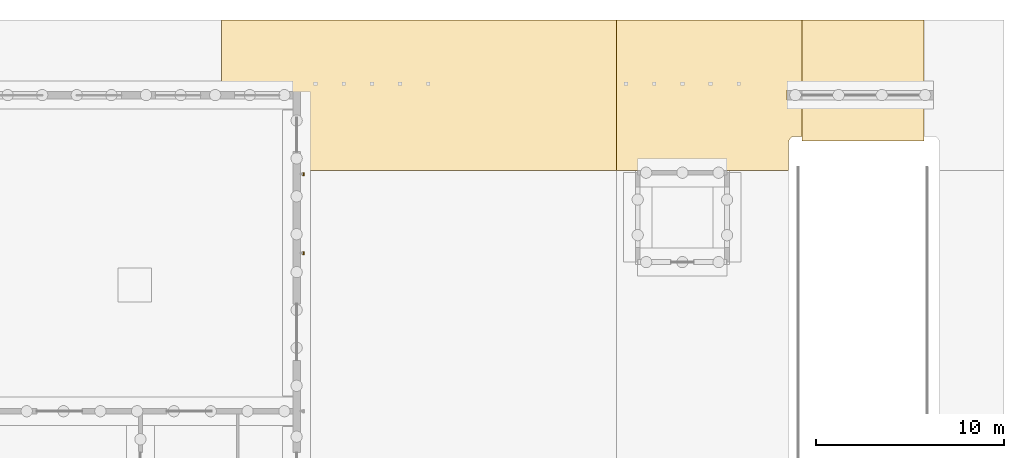
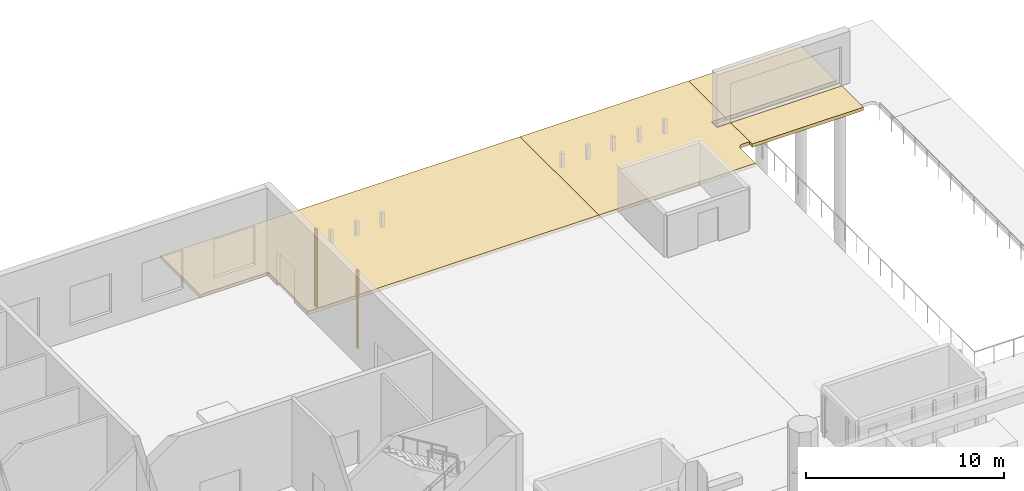
# One storey, part 125 of 127: 4 coverings, 2 shading devices.
"""IFC4 building model written with IfcOpenShell, lengths in metres."""

from ifc_helpers import new_model, si_unit, direction, frame, origin, origin_2d, place, context, subcontext, project, spatial, polyline, rectangle, outline, extrude, material, layer, layer_set, type_object, element, save


model = new_model("IFC4")

# Units and contexts
model_context = context("Model", 3, precision=1e-05, world=origin(), true_north=direction((0.0, 1.0)))
body_context = subcontext(model_context, "Body", "Model", "MODEL_VIEW")
ifc_project = project(units=[si_unit("LENGTHUNIT", "METRE"), si_unit("AREAUNIT", "SQUARE_METRE"), si_unit("VOLUMEUNIT", "CUBIC_METRE"), si_unit("PLANEANGLEUNIT", "RADIAN"), si_unit("MASSUNIT", "GRAM", prefix="KILO")], contexts=[model_context])

# Site, building, storey
site_placement = place(None, origin())
site = spatial("IfcSite", under=ifc_project, at=site_placement, CompositionType="ELEMENT")
building_placement = place(site_placement, origin())
building = spatial("IfcBuilding", under=site, at=building_placement, Name="Ljudholm Concert House", CompositionType="ELEMENT")
storey_placement = place(building_placement, origin())
storey = spatial("IfcBuildingStorey", under=building, at=storey_placement, Name="L00", CompositionType="ELEMENT", Elevation=0.0)

# Shading devices
ifc_material_1 = material(Name="Aluminium extrusion with timber-grain PVDF finish", Category="aluminium")
shading_device_type = type_object("IfcShadingDeviceType", Name="FACADE FIN 80x160", PredefinedType="SHUTTER", material=ifc_material_1)
for number, where, z_axis, x_axis, name in (
    (1, (88.360107421875, 163.60009765625, 0.2998046875), (0.0, 0.0, 1.0), (1.0, 0.0, 0.0), "Facade fin"),
    (2, (88.360107421875, 167.800048828125, 0.2998046875), (0.0, 0.0, 1.0), (1.0, 0.0, 0.0), "Facade fin"),
):
    element("IfcShadingDevice", number, at=place(storey_placement, frame(where, z_axis=z_axis, x_axis=x_axis)), inside=storey, type_object=shading_device_type, Name=name, PredefinedType="SHUTTER", context=body_context, shape_type="SweptSolid", body=[
        extrude(rectangle(XDim=0.080078125, YDim=0.159912109375, at=origin_2d()), origin(), (0.0, 0.0, 1.0), 4.800048828125),
    ])

# Coverings
ifc_material_2 = material(Name="Precast concrete pavers on compacted sand bed", Category="concrete")
ifc_layer = layer(ifc_material_2, 0.199951171875)
ifc_layer_set = layer_set([ifc_layer], Name="Precast concrete pavers on compacted sand bed")
covering_type = type_object("IfcCoveringType", Name="PRECAST CONCRETE PAVERS ON COMPACTED SAND BED PAVING 200", PredefinedType="USERDEFINED", material=ifc_layer_set)
covering_1_placement = place(storey_placement, frame((0.0, 0.0, -0.199951171875)))
element("IfcCovering", 3, at=covering_1_placement, inside=storey, type_object=covering_type, Name="Paving", ObjectType="PAVING", PredefinedType="USERDEFINED", context=body_context, shape_type="SweptSolid", body=[
    extrude(outline(polyline([(105.0, 175.989990234375), (105.0, 168.0), (88.0, 168.0), (88.0, 172.0), (84.0, 172.0), (84.0, 175.989990234375), (105.0, 175.989990234375)])), origin(), (0.0, 0.0, 1.0), 0.199951171875),
])
covering_2_placement = place(storey_placement, frame((0.0, 0.0, -0.199951171875)))
element("IfcCovering", 4, at=covering_2_placement, inside=storey, type_object=covering_type, Name="Paving", ObjectType="PAVING", PredefinedType="USERDEFINED", context=body_context, shape_type="SweptSolid", body=[
    extrude(outline(polyline([(114.85009765625, 175.989990234375), (114.85009765625, 172.27001953125), (114.070068359375, 172.27001953125), (114.062255859375, 172.2685546875), (114.055908203125, 172.26416015625), (114.051513671875, 172.257568359375), (114.050048828125, 172.25), (114.050048828125, 171.75), (114.05224609375, 171.740478515625), (114.058837890625, 171.7333984375), (114.070068359375, 171.72998046875), (114.85009765625, 171.72998046875), (114.85009765625, 169.800048828125), (114.449951171875, 169.800048828125), (114.420654296875, 169.798583984375), (114.391357421875, 169.794189453125), (114.36279296875, 169.787109375), (114.335205078125, 169.777099609375), (114.30859375, 169.7646484375), (114.283447265625, 169.74951171875), (114.259765625, 169.73193359375), (114.23779296875, 169.712158203125), (114.218017578125, 169.6904296875), (114.200439453125, 169.666748046875), (114.185302734375, 169.641357421875), (114.1728515625, 169.61474609375), (114.162841796875, 169.587158203125), (114.15576171875, 169.55859375), (114.1513671875, 169.529296875), (114.14990234375, 169.5), (114.14990234375, 168.0), (110.875, 168.0), (110.87353515625, 168.007568359375), (110.869140625, 168.01416015625), (110.862548828125, 168.0185546875), (110.85498046875, 168.02001953125), (106.14501953125, 168.02001953125), (106.137451171875, 168.0185546875), (106.130859375, 168.01416015625), (106.12646484375, 168.007568359375), (106.125, 168.0), (105.0, 168.0), (105.0, 175.989990234375), (114.85009765625, 175.989990234375)])), origin(), (0.0, 0.0, 1.0), 0.199951171875),
])
covering_3_placement = place(storey_placement, frame((0.0, 0.0, -0.199951171875)))
element("IfcCovering", 5, at=covering_3_placement, inside=storey, type_object=covering_type, Name="Driveway apron", ObjectType="PAVING", PredefinedType="USERDEFINED", context=body_context, shape_type="SweptSolid", body=[
    extrude(outline(polyline([(121.35009765625, 169.550048828125), (114.85009765625, 169.550048828125), (114.85009765625, 171.72998046875), (121.35009765625, 171.72998046875), (121.35009765625, 169.550048828125)])), origin(), (0.0, 0.0, 1.0), 0.199951171875),
])
covering_4_placement = place(storey_placement, frame((0.0, 0.0, -0.199951171875)))
element("IfcCovering", 6, at=covering_4_placement, inside=storey, type_object=covering_type, Name="Driveway apron", ObjectType="PAVING", PredefinedType="USERDEFINED", context=body_context, shape_type="SweptSolid", body=[
    extrude(outline(polyline([(114.85009765625, 175.989990234375), (121.35009765625, 175.989990234375), (121.35009765625, 172.27001953125), (114.85009765625, 172.27001953125), (114.85009765625, 175.989990234375)])), origin(), (0.0, 0.0, 1.0), 0.199951171875),
])

save(model, "model.ifc")
